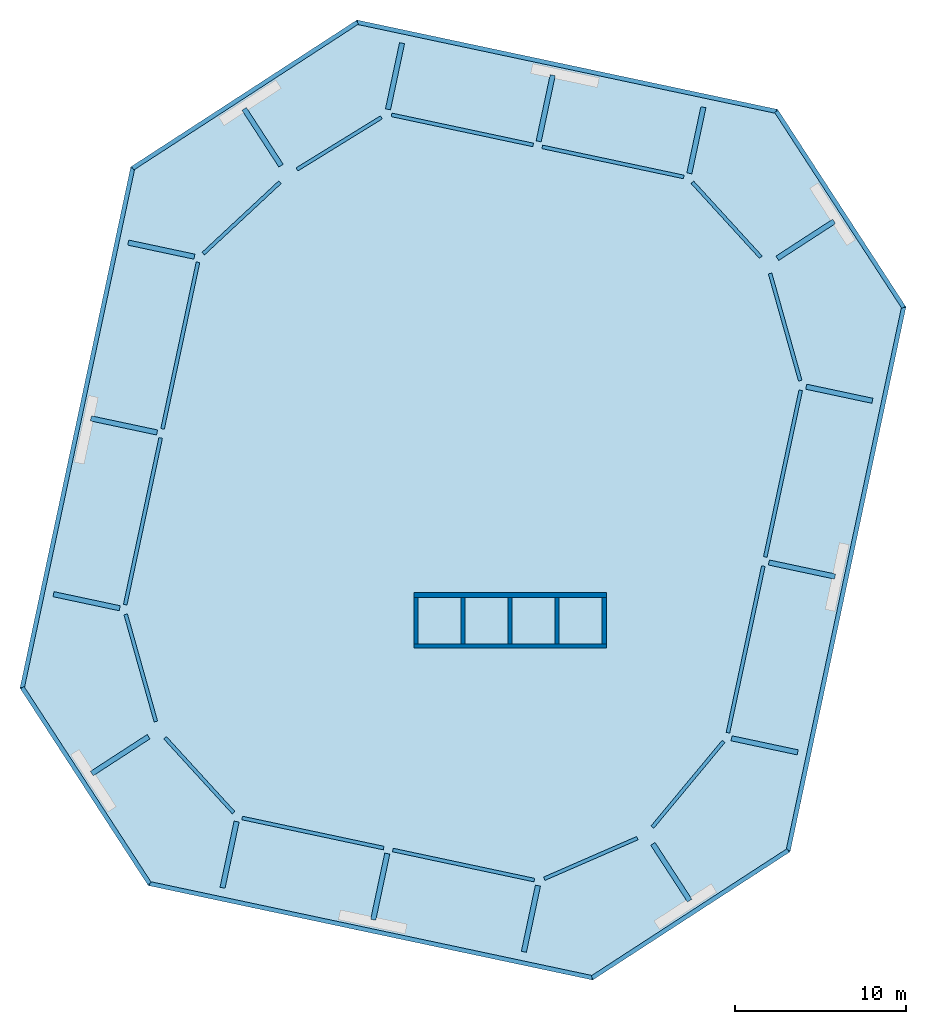
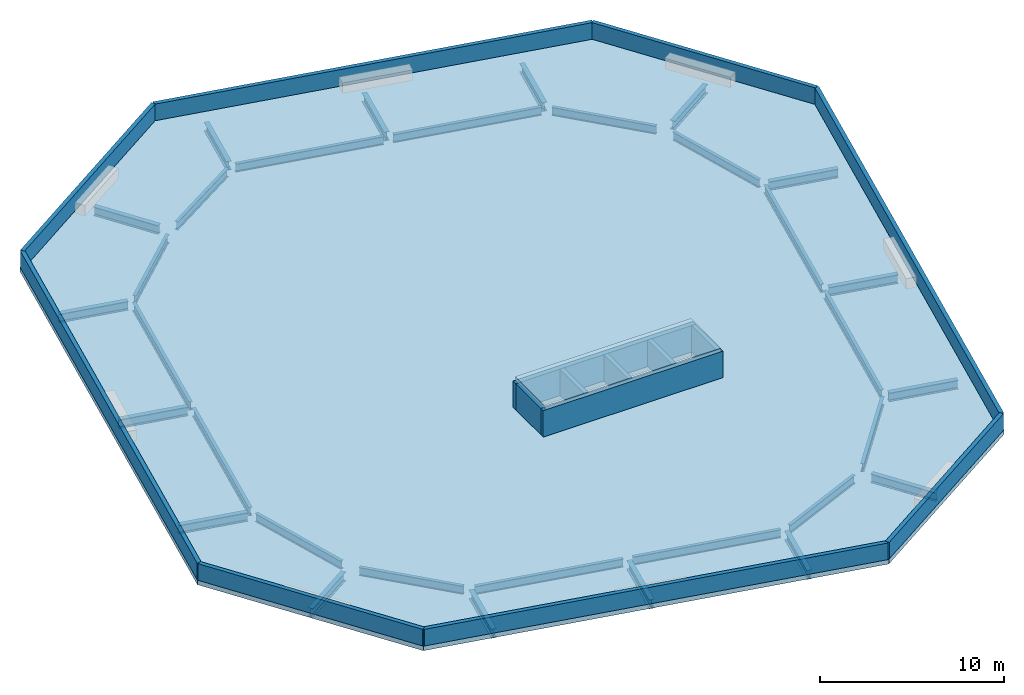
# One storey, part 1 of 2: 32 beams, 15 walls, 2 slabs.
"""IFC4 building model written with IfcOpenShell, lengths in metres."""

import ifcopenshell
import ifcopenshell.guid

model = None  # the IFC model being written
_history = None  # IfcOwnerHistory: only IFC2X3 demands one
_inside = {}  # id of a spatial element -> (the spatial element, [elements in it])
_under = {}  # id of a project, library or spatial element -> (it, [spatial elements below it])
_declared = {}  # id of a project -> (the project, [libraries it declares])
_typed = {}  # id of a type object -> (the type object, [elements of that type])
_made_of = {}  # id of a material, layer set ... -> (it, [elements and type objects made of it])


def new_model(schema):
    """Start an empty IFC model of exactly this schema.

    Asked for "IFC4X3", IfcOpenShell would pick the latest addendum, in which some entities
    have other attributes; the version numbers below select the first issue.
    IFC2X3 requires an IfcOwnerHistory on every rooted entity: one is made here for all.
    """
    global model, _history
    if schema == "IFC4X3":
        model = ifcopenshell.file(schema_version=(4, 3, 0, 0))
    else:
        model = ifcopenshell.file(schema=schema)
    _inside.clear()
    _under.clear()
    _declared.clear()
    _typed.clear()
    _made_of.clear()
    _history = None
    if model.schema == "IFC2X3":
        org = make("IfcOrganization", Name="unknown")
        user = make(
            "IfcPersonAndOrganization",
            ThePerson=make("IfcPerson", FamilyName="unknown"),
            TheOrganization=org,
        )
        app = make(
            "IfcApplication",
            ApplicationDeveloper=org,
            Version="unknown",
            ApplicationFullName="unknown",
            ApplicationIdentifier="unknown",
        )
        _history = make(
            "IfcOwnerHistory",
            OwningUser=user,
            OwningApplication=app,
            ChangeAction="ADDED",
            CreationDate=0,
        )
    return model


def make(cls, **values):
    """One entity of the class cls with the attributes given. An attribute that is None is left unset."""
    return model.create_entity(
        cls, **{name: value for name, value in values.items() if value is not None}
    )


def rooted(cls, **values):
    """An entity with a GlobalId (a new one), such as an element, a storey or a relation."""
    return make(cls, GlobalId=ifcopenshell.guid.new(), OwnerHistory=_history, **values)


def si_unit(unit_type, name, prefix=None):
    """IfcSIUnit, for example si_unit("LENGTHUNIT", "METRE", prefix="MILLI")."""
    return make("IfcSIUnit", UnitType=unit_type, Prefix=prefix, Name=name)


def assignment(units):
    """IfcUnitAssignment: the units of a project."""
    return None if units is None else make("IfcUnitAssignment", Units=units)


def point(xyz):
    """IfcCartesianPoint."""
    return None if xyz is None else make("IfcCartesianPoint", Coordinates=xyz)


def direction(xyz):
    """IfcDirection."""
    return None if xyz is None else make("IfcDirection", DirectionRatios=xyz)


def frame(location, z_axis=None, x_axis=None):
    """IfcAxis2Placement3D, a coordinate frame: its origin and axes. An axis left out is left unset."""
    return make(
        "IfcAxis2Placement3D",
        Location=point(location),
        Axis=direction(z_axis),
        RefDirection=direction(x_axis),
    )


def frame_2d(location, x_axis=None):
    """IfcAxis2Placement2D, a coordinate frame in the plane: its origin and x axis."""
    return make(
        "IfcAxis2Placement2D", Location=point(location), RefDirection=direction(x_axis)
    )


def origin():
    """The frame at (0, 0, 0) with its axes left unset."""
    return frame((0.0, 0.0, 0.0))


def origin_2d():
    """The frame at (0, 0) in the plane with its x axis left unset."""
    return frame_2d((0.0, 0.0))


def place(relative_to, where):
    """IfcLocalPlacement: puts the frame where relative to a parent placement (None: the world)."""
    return make(
        "IfcLocalPlacement", PlacementRelTo=relative_to, RelativePlacement=where
    )


def context(
    kind, dimensions, precision=None, world=None, true_north=None, identifier=None
):
    """IfcGeometricRepresentationContext, for example the 3D "Model" context."""
    return make(
        "IfcGeometricRepresentationContext",
        ContextIdentifier=identifier,
        ContextType=kind,
        CoordinateSpaceDimension=dimensions,
        Precision=precision,
        WorldCoordinateSystem=world,
        TrueNorth=true_north,
    )


def subcontext(parent, identifier, kind, view, scale=None):
    """IfcGeometricRepresentationSubContext, for example "Body" below "Model"."""
    return make(
        "IfcGeometricRepresentationSubContext",
        ContextIdentifier=identifier,
        ContextType=kind,
        ParentContext=parent,
        TargetScale=scale,
        TargetView=view,
    )


def project(units=None, contexts=None):
    """IfcProject with its units and contexts."""
    return rooted(
        "IfcProject",
        Name="project",
        RepresentationContexts=contexts,
        UnitsInContext=assignment(units),
    )


def spatial(cls, under=None, at=None, **own):
    """A site, building, storey or space (cls), placed at a placement, below another one or the project."""
    s = rooted(cls, ObjectPlacement=at, **own)
    if under is not None:
        _under.setdefault(under.id(), (under, []))[1].append(s)
    return s


def polyline(points):
    """IfcPolyline through the points."""
    return make("IfcPolyline", Points=[point(p) for p in points])


def profile(cls, at=None, kind="AREA", **sizes):
    """A parametric profile (cls). Its sizes go by their IFC names, for example OverallWidth=200.0."""
    return make(cls, ProfileType=kind, Position=at, **sizes)


def rectangle(**sizes):
    """IfcRectangleProfileDef."""
    return profile("IfcRectangleProfileDef", **sizes)


def i_section(**sizes):
    """IfcIShapeProfileDef."""
    return profile("IfcIShapeProfileDef", **sizes)


def outline(outer, holes=None, kind="AREA"):
    """IfcArbitraryClosedProfileDef: a profile drawn as a closed curve; with holes, ...WithVoids."""
    if holes is None:
        return make("IfcArbitraryClosedProfileDef", ProfileType=kind, OuterCurve=outer)
    return make(
        "IfcArbitraryProfileDefWithVoids",
        ProfileType=kind,
        OuterCurve=outer,
        InnerCurves=holes,
    )


def extrude(swept, where, along, depth):
    """IfcExtrudedAreaSolid: the profile swept, set in the frame where, extruded along a direction by depth."""
    return make(
        "IfcExtrudedAreaSolid",
        SweptArea=swept,
        Position=where,
        ExtrudedDirection=direction(along),
        Depth=depth,
    )


def shape(context_of_items, identifier, shape_type, items):
    """IfcShapeRepresentation: the items that make up one representation, for example the "Body"."""
    return make(
        "IfcShapeRepresentation",
        ContextOfItems=context_of_items,
        RepresentationIdentifier=identifier,
        RepresentationType=shape_type,
        Items=items,
    )


def material(Name=None, Category=None):
    """IfcMaterial."""
    return make("IfcMaterial", Name=Name, Category=Category)


def layer(
    of_material, thickness, ventilated=None, Name=None, Category=None, Priority=None
):
    """IfcMaterialLayer: one layer of a wall or slab, of a material (None: an air gap)."""
    return make(
        "IfcMaterialLayer",
        Material=of_material,
        LayerThickness=thickness,
        IsVentilated=ventilated,
        Name=Name,
        Category=Category,
        Priority=Priority,
    )


def layer_set(layers, Name=None):
    """IfcMaterialLayerSet."""
    return make("IfcMaterialLayerSet", MaterialLayers=layers, LayerSetName=Name)


def material_profile(
    of_material, cross_section, Name=None, Category=None, Priority=None
):
    """IfcMaterialProfile: a cross section and its material."""
    return make(
        "IfcMaterialProfile",
        Name=Name,
        Material=of_material,
        Profile=cross_section,
        Priority=Priority,
        Category=Category,
    )


def profile_set(profiles, Name=None, composite=None):
    """IfcMaterialProfileSet."""
    return make(
        "IfcMaterialProfileSet",
        Name=Name,
        MaterialProfiles=profiles,
        CompositeProfile=composite,
    )


def made_of(thing, what):
    """Note that an element or type object is made of a material, layer set ...; save() writes the relation."""
    if what is not None:
        _made_of.setdefault(what.id(), (what, []))[1].append(thing)
    return thing


def type_object(cls, material=None, **own):
    """A type object (cls), such as IfcWallType, which elements share."""
    return made_of(rooted(cls, **own), material)


def element(
    cls,
    number,
    at=None,
    inside=None,
    cuts=None,
    type_object=None,
    material=None,
    context=None,
    identifier="Body",
    shape_type=None,
    held_by="IfcProductDefinitionShape",
    body=None,
    shapes=None,
    **own,
):
    """One element of the class cls, such as IfcWall. Its Tag is "e" and its number.

    at: its placement. inside: the storey or other place that contains it. cuts: it is an
    opening in that element (IfcRelVoidsElement). A single representation is given by context,
    identifier, shape_type and body (its items); several are given by shapes. held_by: the class
    of the entity that holds the representations. save() writes the other relations.
    """
    e = rooted(cls, Tag="e%d" % number, ObjectPlacement=at, **own)
    if body is not None:
        shapes = [shape(context, identifier, shape_type, body)]
    if shapes is not None:
        e.Representation = make(held_by, Representations=shapes)
    if inside is not None:
        _inside.setdefault(inside.id(), (inside, []))[1].append(e)
    if cuts is not None:
        rooted(
            "IfcRelVoidsElement", RelatingBuildingElement=cuts, RelatedOpeningElement=e
        )
    if type_object is not None:
        _typed.setdefault(type_object.id(), (type_object, []))[1].append(e)
    return made_of(e, material)


def aggregate(whole, parts):
    """IfcRelAggregates: a whole, such as a stair, and the parts it consists of."""
    return rooted("IfcRelAggregates", RelatingObject=whole, RelatedObjects=parts)


def save(model, path):
    """Write the relations noted so far, then the file.

    IfcRelAggregates (storeys below a building ...), IfcRelContainedInSpatialStructure (elements
    in a storey), IfcRelDefinesByType, IfcRelAssociatesMaterial and IfcRelDeclares: one each for
    every whole, place, type object, material and project.
    """
    for whole, parts in _under.values():
        aggregate(whole, parts)
    for where, things in _inside.values():
        rooted(
            "IfcRelContainedInSpatialStructure",
            RelatedElements=things,
            RelatingStructure=where,
        )
    for kind, things in _typed.values():
        rooted("IfcRelDefinesByType", RelatedObjects=things, RelatingType=kind)
    for what, things in _made_of.values():
        rooted("IfcRelAssociatesMaterial", RelatedObjects=things, RelatingMaterial=what)
    for by, libraries in _declared.values():
        rooted("IfcRelDeclares", RelatingContext=by, RelatedDefinitions=libraries)
    model.write(path)


model = new_model("IFC4")

# Units and contexts
model_context = context("Model", 3, precision=1e-05, world=origin(), true_north=direction((0.0, 1.0)))
body_context = subcontext(model_context, "Body", "Model", "MODEL_VIEW")
ifc_project = project(units=[si_unit("LENGTHUNIT", "METRE"), si_unit("AREAUNIT", "SQUARE_METRE"), si_unit("VOLUMEUNIT", "CUBIC_METRE"), si_unit("PLANEANGLEUNIT", "RADIAN"), si_unit("MASSUNIT", "GRAM", prefix="KILO")], contexts=[model_context])

# Site, building, storey
site_placement = place(None, origin())
site = spatial("IfcSite", under=ifc_project, at=site_placement, CompositionType="ELEMENT")
building_placement = place(site_placement, origin())
building = spatial("IfcBuilding", under=site, at=building_placement, Name="Dilmun Exchange Tower", CompositionType="ELEMENT")
storey_placement = place(building_placement, frame((0.0, 0.0, 376.60009765625)))
storey = spatial("IfcBuildingStorey", under=building, at=storey_placement, Name="Roof", CompositionType="ELEMENT", Elevation=376.60009765625)

# Beams
ifc_material_1 = material(Name="Steel S355", Category="steel")
ifc_material_profile_1 = material_profile(ifc_material_1, i_section(OverallWidth=0.300048828125, OverallDepth=0.590087890625, WebThickness=0.012939453125, FlangeThickness=0.02490234375, FilletRadius=0.027099609375, at=origin_2d()), Name="HEA 600")
ifc_profile_set_1 = profile_set([ifc_material_profile_1], Name="Steel S355")
beam_type_1 = type_object("IfcBeamType", Name="crown cantilever beam HEA 600", PredefinedType="BEAM", material=ifc_profile_set_1)
beam_1_placement = place(storey_placement, frame((-10.63134765625, 19.390380859375, -0.59521484375), z_axis=(-0.544647223982, 0.838665249911, 0.0), x_axis=(-0.838665249911, -0.544647223982, 0.0)))
element("IfcBeam", 1, at=beam_1_placement, inside=storey, type_object=beam_type_1, Name="Crown cantilever beam 1", PredefinedType="BEAM", context=body_context, shape_type="SweptSolid", body=[
    extrude(i_section(OverallWidth=0.300048828125, OverallDepth=0.590087890625, WebThickness=0.012939453125, FlangeThickness=0.02490234375, FilletRadius=0.027099609375, at=origin_2d()), origin(), (0.0, 0.0, 1.0), 3.949951171875),
])
for number, where, z_axis, x_axis, name in (
    (2, (-15.69091796875, 14.06982421875, -0.59521484375), (-0.978146596989, 0.207916413008, 0.0), (-0.207916413008, -0.978146596989, 0.0), "Crown cantilever beam 2"),
    (3, (-17.8740234375, 3.798828125, -0.59521484375), (-0.978146596989, 0.207916413008, 0.0), (-0.207916413008, -0.978146596989, 0.0), "Crown cantilever beam 3"),
    (4, (-20.056884765625, -6.47119140625, -0.59521484375), (-0.978146596989, 0.207916413008, 0.0), (-0.207916413008, -0.978146596989, 0.0), "Crown cantilever beam 4"),
):
    element("IfcBeam", number, at=place(storey_placement, frame(where, z_axis=z_axis, x_axis=x_axis)), inside=storey, type_object=beam_type_1, Name=name, PredefinedType="BEAM", context=body_context, shape_type="SweptSolid", body=[
        extrude(i_section(OverallWidth=0.300048828125, OverallDepth=0.590087890625, WebThickness=0.012939453125, FlangeThickness=0.02490234375, FilletRadius=0.027099609375, at=origin_2d()), origin(), (0.0, 0.0, 1.0), 3.9501953125),
    ])
beam_2_placement = place(storey_placement, frame((-18.368408203125, -13.977294921875, -0.59521484375), z_axis=(-0.838665249911, -0.544647223982, 0.0), x_axis=(0.544647223982, -0.838665249911, 0.0)))
element("IfcBeam", 5, at=beam_2_placement, inside=storey, type_object=beam_type_1, Name="Crown cantilever beam 5", PredefinedType="BEAM", context=body_context, shape_type="SweptSolid", body=[
    extrude(i_section(OverallWidth=0.300048828125, OverallDepth=0.590087890625, WebThickness=0.012939453125, FlangeThickness=0.02490234375, FilletRadius=0.027099609375, at=origin_2d()), origin(), (0.0, 0.0, 1.0), 3.949951171875),
])
beam_3_placement = place(storey_placement, frame((-13.225830078125, -18.93701171875, -0.59521484375), z_axis=(-0.207916413008, -0.978146596989, 0.0), x_axis=(0.978146596989, -0.207916413008, 0.0)))
element("IfcBeam", 6, at=beam_3_placement, inside=storey, type_object=beam_type_1, Name="Crown cantilever beam 6", PredefinedType="BEAM", context=body_context, shape_type="SweptSolid", body=[
    extrude(i_section(OverallWidth=0.300048828125, OverallDepth=0.590087890625, WebThickness=0.012939453125, FlangeThickness=0.02490234375, FilletRadius=0.027099609375, at=origin_2d()), origin(), (0.0, 0.0, 1.0), 3.9501953125),
])
beam_4_placement = place(storey_placement, frame((-4.4228515625, -20.80810546875, -0.59521484375), z_axis=(-0.20786984461, -0.978156494484, 0.0), x_axis=(0.978156494484, -0.20786984461, 0.0)))
element("IfcBeam", 7, at=beam_4_placement, inside=storey, type_object=beam_type_1, Name="Crown cantilever beam 7", PredefinedType="BEAM", context=body_context, shape_type="SweptSolid", body=[
    extrude(i_section(OverallWidth=0.300048828125, OverallDepth=0.590087890625, WebThickness=0.012939453125, FlangeThickness=0.02490234375, FilletRadius=0.027099609375, at=origin_2d()), origin(), (0.0, 0.0, 1.0), 3.94970703125),
])
beam_5_placement = place(storey_placement, frame((4.380126953125, -22.678955078125, -0.59521484375), z_axis=(-0.207857277402, -0.978159165081, 0.0), x_axis=(0.978159165081, -0.207857277402, 0.0)))
element("IfcBeam", 8, at=beam_5_placement, inside=storey, type_object=beam_type_1, Name="Crown cantilever beam 8", PredefinedType="BEAM", context=body_context, shape_type="SweptSolid", body=[
    extrude(i_section(OverallWidth=0.300048828125, OverallDepth=0.590087890625, WebThickness=0.012939453125, FlangeThickness=0.02490234375, FilletRadius=0.027099609375, at=origin_2d()), origin(), (0.0, 0.0, 1.0), 3.949951171875),
])
beam_6_placement = place(storey_placement, frame((11.095458984375, -20.240478515625, -0.59521484375), z_axis=(0.544631981942, -0.838675148222, 0.0), x_axis=(0.838675148222, 0.544631981942, 0.0)))
element("IfcBeam", 9, at=beam_6_placement, inside=storey, type_object=beam_type_1, Name="Crown cantilever beam 9", PredefinedType="BEAM", context=body_context, shape_type="SweptSolid", body=[
    extrude(i_section(OverallWidth=0.300048828125, OverallDepth=0.590087890625, WebThickness=0.012939453125, FlangeThickness=0.02490234375, FilletRadius=0.027099609375, at=origin_2d()), origin(), (0.0, 0.0, 1.0), 3.94970703125),
])
for number, where, z_axis, x_axis, name in (
    (10, (15.69091796875, -14.06982421875, -0.59521484375), (0.978146596989, -0.207916413008, 0.0), (0.207916413008, 0.978146596989, 0.0), "Crown cantilever beam 10"),
    (11, (17.8740234375, -3.798828125, -0.59521484375), (0.978146596989, -0.207916413008, 0.0), (0.207916413008, 0.978146596989, 0.0), "Crown cantilever beam 11"),
    (12, (20.056884765625, 6.47119140625, -0.59521484375), (0.978146596989, -0.207916413008, 0.0), (0.207916413008, 0.978146596989, 0.0), "Crown cantilever beam 12"),
):
    element("IfcBeam", number, at=place(storey_placement, frame(where, z_axis=z_axis, x_axis=x_axis)), inside=storey, type_object=beam_type_1, Name=name, PredefinedType="BEAM", context=body_context, shape_type="SweptSolid", body=[
        extrude(i_section(OverallWidth=0.300048828125, OverallDepth=0.590087890625, WebThickness=0.012939453125, FlangeThickness=0.02490234375, FilletRadius=0.027099609375, at=origin_2d()), origin(), (0.0, 0.0, 1.0), 3.9501953125),
    ])
beam_7_placement = place(storey_placement, frame((18.368408203125, 13.977294921875, -0.59521484375), z_axis=(0.838665249911, 0.544647223982, 0.0), x_axis=(-0.544647223982, 0.838665249911, 0.0)))
element("IfcBeam", 13, at=beam_7_placement, inside=storey, type_object=beam_type_1, Name="Crown cantilever beam 13", PredefinedType="BEAM", context=body_context, shape_type="SweptSolid", body=[
    extrude(i_section(OverallWidth=0.300048828125, OverallDepth=0.590087890625, WebThickness=0.012939453125, FlangeThickness=0.02490234375, FilletRadius=0.027099609375, at=origin_2d()), origin(), (0.0, 0.0, 1.0), 3.949951171875),
])
beam_8_placement = place(storey_placement, frame((13.225830078125, 18.93701171875, -0.59521484375), z_axis=(0.207916413008, 0.978146596989, 0.0), x_axis=(-0.978146596989, 0.207916413008, 0.0)))
element("IfcBeam", 14, at=beam_8_placement, inside=storey, type_object=beam_type_1, Name="Crown cantilever beam 14", PredefinedType="BEAM", context=body_context, shape_type="SweptSolid", body=[
    extrude(i_section(OverallWidth=0.300048828125, OverallDepth=0.590087890625, WebThickness=0.012939453125, FlangeThickness=0.02490234375, FilletRadius=0.027099609375, at=origin_2d()), origin(), (0.0, 0.0, 1.0), 3.9501953125),
])
beam_9_placement = place(storey_placement, frame((4.4228515625, 20.80810546875, -0.59521484375), z_axis=(0.20786984461, 0.978156494484, 0.0), x_axis=(-0.978156494484, 0.20786984461, 0.0)))
element("IfcBeam", 15, at=beam_9_placement, inside=storey, type_object=beam_type_1, Name="Crown cantilever beam 15", PredefinedType="BEAM", context=body_context, shape_type="SweptSolid", body=[
    extrude(i_section(OverallWidth=0.300048828125, OverallDepth=0.590087890625, WebThickness=0.012939453125, FlangeThickness=0.02490234375, FilletRadius=0.027099609375, at=origin_2d()), origin(), (0.0, 0.0, 1.0), 3.94970703125),
])
beam_10_placement = place(storey_placement, frame((-4.380126953125, 22.678955078125, -0.59521484375), z_axis=(0.207857277402, 0.978159165081, 0.0), x_axis=(-0.978159165081, 0.207857277402, 0.0)))
element("IfcBeam", 16, at=beam_10_placement, inside=storey, type_object=beam_type_1, Name="Crown cantilever beam 16", PredefinedType="BEAM", context=body_context, shape_type="SweptSolid", body=[
    extrude(i_section(OverallWidth=0.300048828125, OverallDepth=0.590087890625, WebThickness=0.012939453125, FlangeThickness=0.02490234375, FilletRadius=0.027099609375, at=origin_2d()), origin(), (0.0, 0.0, 1.0), 3.949951171875),
])
ifc_material_profile_2 = material_profile(ifc_material_1, i_section(OverallWidth=0.2099609375, OverallDepth=0.550048828125, WebThickness=0.010986328125, FlangeThickness=0.01708984375, FilletRadius=0.02392578125, at=origin_2d()), Name="IPE 550")
ifc_profile_set_2 = profile_set([ifc_material_profile_2], Name="Steel S355")
beam_type_2 = type_object("IfcBeamType", Name="crown ring beam IPE 550", PredefinedType="BEAM", material=ifc_profile_set_2)
beam_11_placement = place(storey_placement, frame((-10.688232421875, 18.422119140625, -0.5751953125), z_axis=(-0.731902192128, -0.681409701398, 0.0), x_axis=(0.681409701398, -0.731902192128, 0.0)))
element("IfcBeam", 17, at=beam_11_placement, inside=storey, type_object=beam_type_2, Name="Crown ring beam 1", PredefinedType="BEAM", context=body_context, shape_type="SweptSolid", body=[
    extrude(i_section(OverallWidth=0.2099609375, OverallDepth=0.550048828125, WebThickness=0.010986328125, FlangeThickness=0.01708984375, FilletRadius=0.02392578125, at=origin_2d()), origin(), (0.0, 0.0, 1.0), 6.131103515625),
])
beam_12_placement = place(storey_placement, frame((-15.480712890625, 13.74609375, -0.5751953125), z_axis=(-0.207902460752, -0.978149562599, 0.0), x_axis=(0.978149562599, -0.207902460752, 0.0)))
element("IfcBeam", 18, at=beam_12_placement, inside=storey, type_object=beam_type_2, Name="Crown ring beam 2", PredefinedType="BEAM", context=body_context, shape_type="SweptSolid", body=[
    extrude(i_section(OverallWidth=0.2099609375, OverallDepth=0.550048828125, WebThickness=0.010986328125, FlangeThickness=0.01708984375, FilletRadius=0.02392578125, at=origin_2d()), origin(), (0.0, 0.0, 1.0), 9.95458984375),
])
beam_13_placement = place(storey_placement, frame((-17.663818359375, 3.47509765625, -0.5751953125), z_axis=(-0.207898944968, -0.978150309861, 0.0), x_axis=(0.978150309861, -0.207898944968, 0.0)))
element("IfcBeam", 19, at=beam_13_placement, inside=storey, type_object=beam_type_2, Name="Crown ring beam 3", PredefinedType="BEAM", context=body_context, shape_type="SweptSolid", body=[
    extrude(i_section(OverallWidth=0.2099609375, OverallDepth=0.550048828125, WebThickness=0.010986328125, FlangeThickness=0.01708984375, FilletRadius=0.02392578125, at=origin_2d()), origin(), (0.0, 0.0, 1.0), 9.95361328125),
])
beam_14_placement = place(storey_placement, frame((-19.70556640625, -6.828125, -0.5751953125), z_axis=(0.27088688056, -0.962611187313, 0.0), x_axis=(0.962611187313, 0.27088688056, 0.0)))
element("IfcBeam", 20, at=beam_14_placement, inside=storey, type_object=beam_type_2, Name="Crown ring beam 4", PredefinedType="BEAM", context=body_context, shape_type="SweptSolid", body=[
    extrude(i_section(OverallWidth=0.2099609375, OverallDepth=0.550048828125, WebThickness=0.010986328125, FlangeThickness=0.01708984375, FilletRadius=0.02392578125, at=origin_2d()), origin(), (0.0, 0.0, 1.0), 6.50439453125),
])
beam_15_placement = place(storey_placement, frame((-17.401611328125, -14.040771484375, -0.5751953125), z_axis=(0.674784574678, -0.738014754443, 0.0), x_axis=(0.738014754443, 0.674784574678, 0.0)))
element("IfcBeam", 21, at=beam_15_placement, inside=storey, type_object=beam_type_2, Name="Crown ring beam 5", PredefinedType="BEAM", context=body_context, shape_type="SweptSolid", body=[
    extrude(i_section(OverallWidth=0.2099609375, OverallDepth=0.550048828125, WebThickness=0.010986328125, FlangeThickness=0.01708984375, FilletRadius=0.02392578125, at=origin_2d()), origin(), (0.0, 0.0, 1.0), 5.9306640625),
])
for number, where, z_axis, x_axis, name in (
    (22, (-12.902099609375, -18.726806640625, -0.5751953125), (0.978155180899, -0.207876025749, 0.0), (0.207876025749, 0.978155180899, 0.0), "Crown ring beam 6"),
    (23, (-4.09912109375, -20.597900390625, -0.5751953125), (0.978155180899, -0.207876025749, 0.0), (0.207876025749, 0.978155180899, 0.0), "Crown ring beam 7"),
):
    element("IfcBeam", number, at=place(storey_placement, frame(where, z_axis=z_axis, x_axis=x_axis)), inside=storey, type_object=beam_type_2, Name=name, PredefinedType="BEAM", context=body_context, shape_type="SweptSolid", body=[
        extrude(i_section(OverallWidth=0.2099609375, OverallDepth=0.550048828125, WebThickness=0.010986328125, FlangeThickness=0.01708984375, FilletRadius=0.02392578125, at=origin_2d()), origin(), (0.0, 0.0, 1.0), 8.45361328125),
    ])
beam_16_placement = place(storey_placement, frame((4.750244140625, -22.275390625, -0.5751953125), z_axis=(0.916630994698, 0.399734436294, 0.0), x_axis=(-0.399734436294, 0.916630994698, 0.0)))
element("IfcBeam", 24, at=beam_16_placement, inside=storey, type_object=beam_type_2, Name="Crown ring beam 8", PredefinedType="BEAM", context=body_context, shape_type="SweptSolid", body=[
    extrude(i_section(OverallWidth=0.2099609375, OverallDepth=0.550048828125, WebThickness=0.010986328125, FlangeThickness=0.01708984375, FilletRadius=0.02392578125, at=origin_2d()), origin(), (0.0, 0.0, 1.0), 5.930419921875),
])
beam_17_placement = place(storey_placement, frame((11.068603515625, -19.25634765625, -0.5751953125), z_axis=(0.638957852537, 0.76924174528, 0.0), x_axis=(-0.76924174528, 0.638957852537, 0.0)))
element("IfcBeam", 25, at=beam_17_placement, inside=storey, type_object=beam_type_2, Name="Crown ring beam 9", PredefinedType="BEAM", context=body_context, shape_type="SweptSolid", body=[
    extrude(i_section(OverallWidth=0.2099609375, OverallDepth=0.550048828125, WebThickness=0.010986328125, FlangeThickness=0.01708984375, FilletRadius=0.02392578125, at=origin_2d()), origin(), (0.0, 0.0, 1.0), 6.50439453125),
])
beam_18_placement = place(storey_placement, frame((15.480712890625, -13.74609375, -0.5751953125), z_axis=(0.207902460752, 0.978149562599, 0.0), x_axis=(-0.978149562599, 0.207902460752, 0.0)))
element("IfcBeam", 26, at=beam_18_placement, inside=storey, type_object=beam_type_2, Name="Crown ring beam 10", PredefinedType="BEAM", context=body_context, shape_type="SweptSolid", body=[
    extrude(i_section(OverallWidth=0.2099609375, OverallDepth=0.550048828125, WebThickness=0.010986328125, FlangeThickness=0.01708984375, FilletRadius=0.02392578125, at=origin_2d()), origin(), (0.0, 0.0, 1.0), 9.95458984375),
])
beam_19_placement = place(storey_placement, frame((17.663818359375, -3.47509765625, -0.5751953125), z_axis=(0.207898944968, 0.978150309861, 0.0), x_axis=(-0.978150309861, 0.207898944968, 0.0)))
element("IfcBeam", 27, at=beam_19_placement, inside=storey, type_object=beam_type_2, Name="Crown ring beam 11", PredefinedType="BEAM", context=body_context, shape_type="SweptSolid", body=[
    extrude(i_section(OverallWidth=0.2099609375, OverallDepth=0.550048828125, WebThickness=0.010986328125, FlangeThickness=0.01708984375, FilletRadius=0.02392578125, at=origin_2d()), origin(), (0.0, 0.0, 1.0), 9.95361328125),
])
beam_20_placement = place(storey_placement, frame((19.70556640625, 6.828125, -0.5751953125), z_axis=(-0.27088688056, 0.962611187313, 0.0), x_axis=(-0.962611187313, -0.27088688056, 0.0)))
element("IfcBeam", 28, at=beam_20_placement, inside=storey, type_object=beam_type_2, Name="Crown ring beam 12", PredefinedType="BEAM", context=body_context, shape_type="SweptSolid", body=[
    extrude(i_section(OverallWidth=0.2099609375, OverallDepth=0.550048828125, WebThickness=0.010986328125, FlangeThickness=0.01708984375, FilletRadius=0.02392578125, at=origin_2d()), origin(), (0.0, 0.0, 1.0), 6.50439453125),
])
beam_21_placement = place(storey_placement, frame((17.401611328125, 14.040771484375, -0.5751953125), z_axis=(-0.674784574678, 0.738014754443, 0.0), x_axis=(-0.738014754443, -0.674784574678, 0.0)))
element("IfcBeam", 29, at=beam_21_placement, inside=storey, type_object=beam_type_2, Name="Crown ring beam 13", PredefinedType="BEAM", context=body_context, shape_type="SweptSolid", body=[
    extrude(i_section(OverallWidth=0.2099609375, OverallDepth=0.550048828125, WebThickness=0.010986328125, FlangeThickness=0.01708984375, FilletRadius=0.02392578125, at=origin_2d()), origin(), (0.0, 0.0, 1.0), 5.9306640625),
])
for number, where, z_axis, x_axis, name in (
    (30, (12.902099609375, 18.726806640625, -0.5751953125), (-0.978155180899, 0.207876025749, 0.0), (-0.207876025749, -0.978155180899, 0.0), "Crown ring beam 14"),
    (31, (4.09912109375, 20.597900390625, -0.5751953125), (-0.978155180899, 0.207876025749, 0.0), (-0.207876025749, -0.978155180899, 0.0), "Crown ring beam 15"),
):
    element("IfcBeam", number, at=place(storey_placement, frame(where, z_axis=z_axis, x_axis=x_axis)), inside=storey, type_object=beam_type_2, Name=name, PredefinedType="BEAM", context=body_context, shape_type="SweptSolid", body=[
        extrude(i_section(OverallWidth=0.2099609375, OverallDepth=0.550048828125, WebThickness=0.010986328125, FlangeThickness=0.01708984375, FilletRadius=0.02392578125, at=origin_2d()), origin(), (0.0, 0.0, 1.0), 8.45361328125),
    ])
beam_22_placement = place(storey_placement, frame((-4.76708984375, 22.20849609375, -0.5751953125), z_axis=(-0.851138218853, -0.524941646669, 0.0), x_axis=(0.524941646669, -0.851138218853, 0.0)))
element("IfcBeam", 32, at=beam_22_placement, inside=storey, type_object=beam_type_2, Name="Crown ring beam 16", PredefinedType="BEAM", context=body_context, shape_type="SweptSolid", body=[
    extrude(i_section(OverallWidth=0.2099609375, OverallDepth=0.550048828125, WebThickness=0.010986328125, FlangeThickness=0.01708984375, FilletRadius=0.02392578125, at=origin_2d()), origin(), (0.0, 0.0, 1.0), 5.790771484375),
])

# Slabs
ifc_material_2 = material(Name="Concrete C40/50", Category="concrete")
ifc_layer_1 = layer(ifc_material_2, 0.25)
ifc_layer_set_1 = layer_set([ifc_layer_1], Name="Concrete C40/50")
slab_type_1 = type_object("IfcSlabType", Name="Lift overrun roof slab 250", PredefinedType="ROOF", material=ifc_layer_set_1)
slab_1_placement = place(storey_placement, frame((0.0, 0.0, 1.75)))
element("IfcSlab", 33, at=slab_1_placement, inside=storey, type_object=slab_type_1, Name="Lift overrun roof slab", PredefinedType="ROOF", context=body_context, shape_type="SweptSolid", body=[
    extrude(outline(polyline([(-2.75, -8.800048828125), (8.25, -8.800048828125), (8.25, -5.550048828125), (-2.75, -5.550048828125), (-2.75, -8.800048828125)])), origin(), (0.0, 0.0, 1.0), 0.25),
])
ifc_layer_2 = layer(ifc_material_2, 0.300048828125)
ifc_layer_set_2 = layer_set([ifc_layer_2], Name="Concrete C40/50")
slab_type_2 = type_object("IfcSlabType", Name="RC canopy roof slab 300", PredefinedType="ROOF", material=ifc_layer_set_2)
slab_2_placement = place(storey_placement, frame((0.0, 0.0, -0.300048828125)))
element("IfcSlab", 34, at=slab_2_placement, inside=storey, type_object=slab_type_2, Name="Canopy roof slab", PredefinedType="ROOF", context=body_context, shape_type="SweptSolid", body=[
    extrude(outline(polyline([(-19.408203125, 19.315185546875), (-6.193115234375, 27.897216796875), (18.3876953125, 22.67236328125), (25.880615234375, 11.134521484375), (19.1142578125, -20.698486328125), (7.576416015625, -28.19140625), (-18.3876953125, -22.67236328125), (-25.880615234375, -11.134521484375), (-19.408203125, 19.315185546875)]), holes=[polyline([(8.125, -8.550048828125), (8.125, -5.85009765625), (-2.625, -5.85009765625), (-2.625, -8.550048828125), (8.125, -8.550048828125)])]), origin(), (0.0, 0.0, 1.0), 0.300048828125),
])

# Walls
ifc_layer_3 = layer(ifc_material_2, 0.300048828125)
ifc_layer_set_3 = layer_set([ifc_layer_3], Name="Concrete C40/50")
wall_type_1 = type_object("IfcWallType", Name="Lift shaft shared wall 300", PredefinedType="SOLIDWALL", material=ifc_layer_set_3)
wall_1_placement = place(storey_placement, frame((-2.875, -5.699951171875, 0.0), z_axis=(0.0, 0.0, 1.0), x_axis=(1.0, 0.0, 0.0)))
element("IfcWall", 35, at=wall_1_placement, inside=storey, type_object=wall_type_1, Name="Roof lift shaft rear wall S", PredefinedType="SOLIDWALL", context=body_context, shape_type="SweptSolid", body=[
    extrude(rectangle(XDim=11.25, YDim=0.300048828125, at=frame_2d((5.625, 0.0))), origin(), (0.0, 0.0, 1.0), 1.75),
])
ifc_layer_4 = layer(ifc_material_2, 0.25)
ifc_layer_set_4 = layer_set([ifc_layer_4], Name="Concrete C40/50")
wall_type_2 = type_object("IfcWallType", Name="Lift shaft wall 250", PredefinedType="SOLIDWALL", material=ifc_layer_set_4)
wall_2_placement = place(storey_placement, frame((-2.875, -8.675048828125, 0.0), z_axis=(0.0, 0.0, 1.0), x_axis=(1.0, 0.0, 0.0)))
element("IfcWall", 36, at=wall_2_placement, inside=storey, type_object=wall_type_2, Name="Roof lift shaft front wall S2", PredefinedType="SOLIDWALL", context=body_context, shape_type="SweptSolid", body=[
    extrude(rectangle(XDim=11.25, YDim=0.25, at=frame_2d((5.625, 0.0))), origin(), (0.0, 0.0, 1.0), 1.75),
])
for number, where, z_axis, x_axis, name in (
    (37, (-2.75, -8.550048828125, 0.0), (0.0, 0.0, 1.0), (0.0, 1.0, 0.0), "Roof lift shaft divider S22"),
    (38, (0.0, -8.550048828125, 0.0), (0.0, 0.0, 1.0), (0.0, 1.0, 0.0), "Roof lift shaft divider S23"),
    (39, (2.75, -8.550048828125, 0.0), (0.0, 0.0, 1.0), (0.0, 1.0, 0.0), "Roof lift shaft divider S24"),
    (40, (5.5, -8.550048828125, 0.0), (0.0, 0.0, 1.0), (0.0, 1.0, 0.0), "Roof lift shaft divider S25"),
    (41, (8.25, -8.550048828125, 0.0), (0.0, 0.0, 1.0), (0.0, 1.0, 0.0), "Roof lift shaft divider S26"),
):
    element("IfcWall", number, at=place(storey_placement, frame(where, z_axis=z_axis, x_axis=x_axis)), inside=storey, type_object=wall_type_2, Name=name, PredefinedType="SOLIDWALL", context=body_context, shape_type="SweptSolid", body=[
        extrude(rectangle(XDim=2.699951171875, YDim=0.25, at=frame_2d((1.35009765625, 0.0))), origin(), (0.0, 0.0, 1.0), 1.75),
    ])
ifc_material_3 = material(Name="Precast concrete C40/50", Category="concrete")
ifc_layer_5 = layer(ifc_material_3, 0.25)
ifc_layer_set_5 = layer_set([ifc_layer_5], Name="Precast concrete C40/50")
wall_type_3 = type_object("IfcWallType", Name="Roof parapet 250", PredefinedType="PARAPET", material=ifc_layer_set_5)
wall_3_placement = place(storey_placement, frame((-18.31103515625, -22.560791015625, 0.0), z_axis=(0.0, 0.0, 1.0), x_axis=(0.978147538398, -0.207911984085, 0.0)))
element("IfcWall", 42, at=wall_3_placement, inside=storey, type_object=wall_type_3, Name="Roof parapet 1", PredefinedType="PARAPET", context=body_context, shape_type="SweptSolid", body=[
    extrude(rectangle(XDim=26.440673828125, YDim=0.25, at=frame_2d((13.22021484375, 0.0))), origin(), (0.0, 0.0, 1.0), 1.099853515625),
])
wall_4_placement = place(storey_placement, frame((7.5517578125, -28.05810546875, 0.0), z_axis=(0.0, 0.0, 1.0), x_axis=(0.838671910228, 0.544636968075, 0.0)))
element("IfcWall", 43, at=wall_4_placement, inside=storey, type_object=wall_type_3, Name="Roof parapet 2", PredefinedType="PARAPET", context=body_context, shape_type="SweptSolid", body=[
    extrude(rectangle(XDim=13.653564453125, YDim=0.25, at=frame_2d((6.82666015625, 0.0))), origin(), (0.0, 0.0, 1.0), 1.099853515625),
])
wall_5_placement = place(storey_placement, frame((19.002685546875, -20.621826171875, 0.0), z_axis=(0.0, 0.0, 1.0), x_axis=(0.207914470264, 0.97814700994, 0.0)))
element("IfcWall", 44, at=wall_5_placement, inside=storey, type_object=wall_type_3, Name="Roof parapet 3", PredefinedType="PARAPET", context=body_context, shape_type="SweptSolid", body=[
    extrude(rectangle(XDim=32.440673828125, YDim=0.25, at=frame_2d((16.22021484375, 0.0))), origin(), (0.0, 0.0, 1.0), 1.099853515625),
])
wall_6_placement = place(storey_placement, frame((25.74755859375, 11.10986328125, 0.0), z_axis=(0.0, 0.0, 1.0), x_axis=(-0.544649544851, 0.838663742684, 0.0)))
element("IfcWall", 45, at=wall_6_placement, inside=storey, type_object=wall_type_3, Name="Roof parapet 4", PredefinedType="PARAPET", context=body_context, shape_type="SweptSolid", body=[
    extrude(rectangle(XDim=13.65380859375, YDim=0.25, at=frame_2d((6.826904296875, 0.0))), origin(), (0.0, 0.0, 1.0), 1.099853515625),
])
wall_7_placement = place(storey_placement, frame((18.31103515625, 22.560791015625, 0.0), z_axis=(0.0, 0.0, 1.0), x_axis=(-0.978146849466, 0.207915225223, 0.0)))
element("IfcWall", 46, at=wall_7_placement, inside=storey, type_object=wall_type_3, Name="Roof parapet 5", PredefinedType="PARAPET", context=body_context, shape_type="SweptSolid", body=[
    extrude(rectangle(XDim=25.0263671875, YDim=0.25, at=frame_2d((12.51318359375, 0.0))), origin(), (0.0, 0.0, 1.0), 1.099853515625),
])
wall_8_placement = place(storey_placement, frame((-6.16845703125, 27.76416015625, 0.0), z_axis=(0.0, 0.0, 1.0), x_axis=(-0.838672305588, -0.544636359271, 0.0)))
element("IfcWall", 47, at=wall_8_placement, inside=storey, type_object=wall_type_3, Name="Roof parapet 6", PredefinedType="PARAPET", context=body_context, shape_type="SweptSolid", body=[
    extrude(rectangle(XDim=15.65380859375, YDim=0.25, at=frame_2d((7.826904296875, 0.0))), origin(), (0.0, 0.0, 1.0), 1.099853515625),
])
wall_9_placement = place(storey_placement, frame((-19.296875, 19.238525390625, 0.0), z_axis=(0.0, 0.0, 1.0), x_axis=(-0.207909669285, -0.978148030422, 0.0)))
element("IfcWall", 48, at=wall_9_placement, inside=storey, type_object=wall_type_3, Name="Roof parapet 7", PredefinedType="PARAPET", context=body_context, shape_type="SweptSolid", body=[
    extrude(rectangle(XDim=31.0263671875, YDim=0.25, at=frame_2d((15.51318359375, 0.0))), origin(), (0.0, 0.0, 1.0), 1.099853515625),
])
wall_10_placement = place(storey_placement, frame((-25.74755859375, -11.10986328125, 0.0), z_axis=(0.0, 0.0, 1.0), x_axis=(0.544649544851, -0.838663742684, 0.0)))
element("IfcWall", 49, at=wall_10_placement, inside=storey, type_object=wall_type_3, Name="Roof parapet 8", PredefinedType="PARAPET", context=body_context, shape_type="SweptSolid", body=[
    extrude(rectangle(XDim=13.65380859375, YDim=0.25, at=frame_2d((6.826904296875, 0.0))), origin(), (0.0, 0.0, 1.0), 1.099853515625),
])

save(model, "model.ifc")
